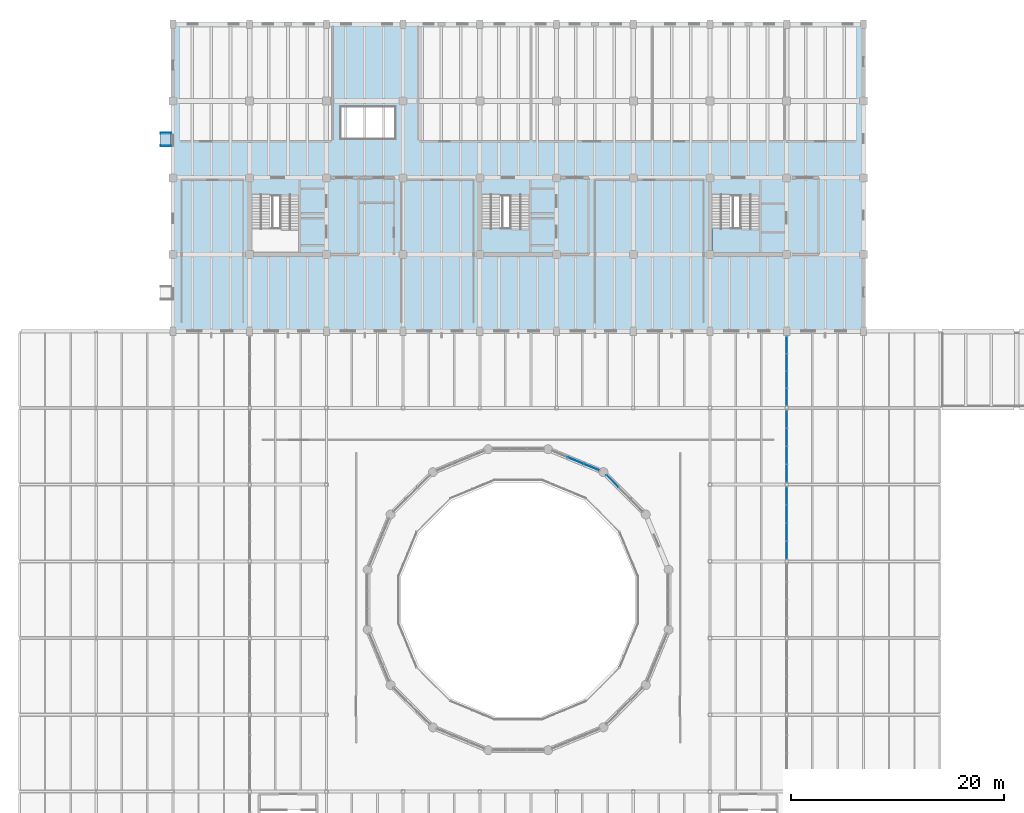
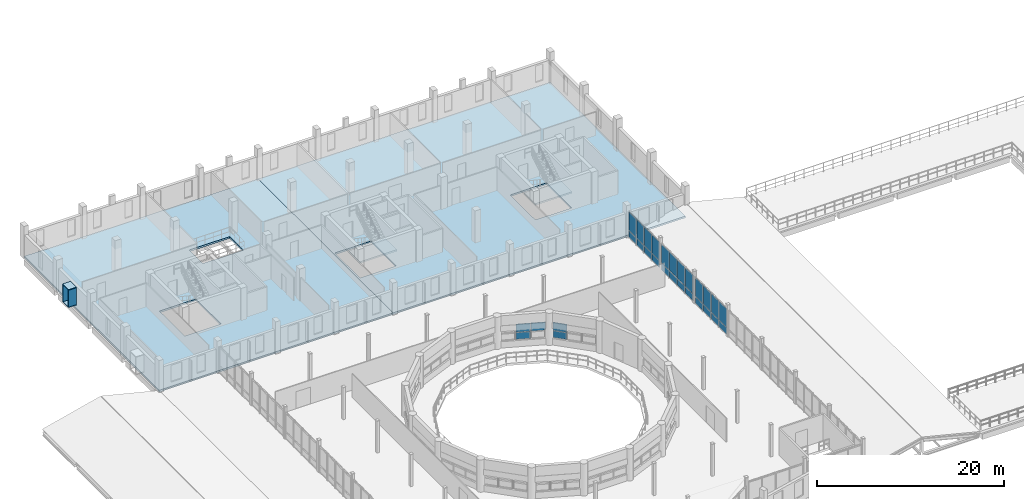
# One storey, part 43 of 63: 33 plates, 4 slabs, 7 elements without a shape of their own.
"""IFC4 building model written with IfcOpenShell, lengths in metres."""

from ifc_helpers import new_model, si_unit, direction, frame, frame_2d, origin, origin_2d, place, context, subcontext, project, spatial, polyline, rectangle, outline, extrude, material, layer, layer_set, type_object, element, aggregate, save


model = new_model("IFC4")

# Units and contexts
model_context = context("Model", 3, precision=1e-05, world=origin(), true_north=direction((0.0, 1.0)))
body_context = subcontext(model_context, "Body", "Model", "MODEL_VIEW")
ifc_project = project(units=[si_unit("LENGTHUNIT", "METRE"), si_unit("AREAUNIT", "SQUARE_METRE"), si_unit("VOLUMEUNIT", "CUBIC_METRE"), si_unit("PLANEANGLEUNIT", "RADIAN"), si_unit("MASSUNIT", "GRAM", prefix="KILO")], contexts=[model_context])

# Site, building, storey
site_placement = place(None, origin())
site = spatial("IfcSite", under=ifc_project, at=site_placement, CompositionType="ELEMENT")
building_placement = place(site_placement, origin())
building = spatial("IfcBuilding", under=site, at=building_placement, Name="Qiaolan Assembly House", CompositionType="ELEMENT")
storey_placement = place(building_placement, frame((0.0, 0.0, 14.39990234375)))
storey = spatial("IfcBuildingStorey", under=building, at=storey_placement, Name="L03", CompositionType="ELEMENT", Elevation=14.39990234375)

# Curtain wall, plates
ifc_material_1 = material(Name="Anodised bronze aluminium", Category="aluminium")
curtain_wall_type_1 = type_object("IfcCurtainWallType", Name="CW-DRUM-CLERESTORY", PredefinedType="NOTDEFINED", material=ifc_material_1)
curtain_wall_1_placement = place(storey_placement, origin())
curtain_wall_1 = element("IfcCurtainWall", 1, at=curtain_wall_1_placement, inside=storey, type_object=curtain_wall_type_1, Name="CW-06 Council Chamber Drum Clerestory Curtain Wall 2", PredefinedType="NOTDEFINED")
ifc_material_2 = material(Name="Low-E double insulating glass", Category="glass")
ifc_layer_1 = layer(ifc_material_2, 0.02392578125)
ifc_layer_set_1 = layer_set([ifc_layer_1], Name="Low-E double insulating glass")
plate_type_1 = type_object("IfcPlateType", Name="CW-DRUM-CLERESTORY-PNL", PredefinedType="CURTAIN_PANEL", material=ifc_layer_set_1)
plate_1_placement = place(storey_placement, frame((76.6865234375, 72.88671875, 0.85107421875), z_axis=(0.0, 0.0, 1.0), x_axis=(0.707184557876, -0.707028995941, 0.0)))
plate_1 = element("IfcPlate", 2, at=plate_1_placement, type_object=plate_type_1, Name="GL-07 glazing panel CW-DRUM-CLER-01-1", PredefinedType="CURTAIN_PANEL", context=body_context, shape_type="SweptSolid", body=[
    extrude(rectangle(XDim=1.5693359375, YDim=0.02392578125, at=frame_2d((0.78466796875, 0.0))), origin(), (0.0, 0.0, 1.0), 0.8779296875),
])
plate_2_placement = place(storey_placement, frame((76.6865234375, 72.88671875, 1.77099609375), z_axis=(0.0, 0.0, 1.0), x_axis=(0.707184557876, -0.707028995941, 0.0)))
plate_2 = element("IfcPlate", 3, at=plate_2_placement, type_object=plate_type_1, Name="GL-07 glazing panel CW-DRUM-CLER-01-2", PredefinedType="CURTAIN_PANEL", context=body_context, shape_type="SweptSolid", body=[
    extrude(rectangle(XDim=1.5693359375, YDim=0.02392578125, at=frame_2d((0.78466796875, 0.0))), origin(), (0.0, 0.0, 1.0), 1.078125),
])
aggregate(curtain_wall_1, [plate_1, plate_2])

curtain_wall_2_placement = place(storey_placement, origin())
curtain_wall_2 = element("IfcCurtainWall", 4, at=curtain_wall_2_placement, inside=storey, type_object=curtain_wall_type_1, Name="CW-06 Council Chamber Drum Clerestory Curtain Wall 3", PredefinedType="NOTDEFINED")
plate_3_placement = place(storey_placement, frame((73.07958984375, 74.548583984375, 0.85107421875), z_axis=(0.0, 0.0, 1.0), x_axis=(0.923903097912, -0.382626535499, 0.0)))
plate_3 = element("IfcPlate", 5, at=plate_3_placement, type_object=plate_type_1, Name="GL-07 glazing panel CW-DRUM-CLER-02-3", PredefinedType="CURTAIN_PANEL", context=body_context, shape_type="SweptSolid", body=[
    extrude(rectangle(XDim=1.569580078125, YDim=0.02392578125, at=frame_2d((0.78466796875, 0.0))), origin(), (0.0, 0.0, 1.0), 0.8779296875),
])
plate_4_placement = place(storey_placement, frame((73.07958984375, 74.548583984375, 1.77099609375), z_axis=(0.0, 0.0, 1.0), x_axis=(0.923903097912, -0.382626535499, 0.0)))
plate_4 = element("IfcPlate", 6, at=plate_4_placement, type_object=plate_type_1, Name="GL-07 glazing panel CW-DRUM-CLER-02-4", PredefinedType="CURTAIN_PANEL", context=body_context, shape_type="SweptSolid", body=[
    extrude(rectangle(XDim=1.569580078125, YDim=0.02392578125, at=frame_2d((0.78466796875, 0.0))), origin(), (0.0, 0.0, 1.0), 1.078125),
])
plate_5_placement = place(storey_placement, frame((74.575927734375, 73.9287109375, 1.77099609375), z_axis=(0.0, 0.0, 1.0), x_axis=(0.923903097912, -0.382626535499, 0.0)))
plate_5 = element("IfcPlate", 7, at=plate_5_placement, type_object=plate_type_1, Name="GL-07 glazing panel CW-DRUM-CLER-02-6", PredefinedType="CURTAIN_PANEL", context=body_context, shape_type="SweptSolid", body=[
    extrude(rectangle(XDim=1.569580078125, YDim=0.02392578125, at=frame_2d((0.78466796875, 0.0))), origin(), (0.0, 0.0, 1.0), 1.078125),
])
aggregate(curtain_wall_2, [plate_3, plate_4, plate_5])

curtain_wall_type_2 = type_object("IfcCurtainWallType", Name="CW-HALL-CONC-420", PredefinedType="NOTDEFINED", material=ifc_material_1)
curtain_wall_3_placement = place(storey_placement, origin())
curtain_wall_3 = element("IfcCurtainWall", 8, at=curtain_wall_3_placement, inside=storey, type_object=curtain_wall_type_2, Name="CW-07 L03 Concourse East CW 5", PredefinedType="NOTDEFINED")
ifc_layer_2 = layer(ifc_material_2, 0.031005859375)
ifc_layer_set_2 = layer_set([ifc_layer_2], Name="Low-E double insulating glass")
plate_type_2 = type_object("IfcPlateType", Name="CW-HALL-CONC-420-PNL", PredefinedType="CURTAIN_PANEL", material=ifc_layer_set_2)
plate_6_placement = place(storey_placement, frame((93.60009765625, 71.757080078125, 0.05810546875), z_axis=(0.0, 0.0, 1.0), x_axis=(0.0, -1.0, 0.0)))
plate_6 = element("IfcPlate", 9, at=plate_6_placement, type_object=plate_type_2, Name="GL-03 glazing panel CW-HLC-E-04-1", PredefinedType="CURTAIN_PANEL", context=body_context, shape_type="SweptSolid", body=[
    extrude(rectangle(XDim=1.629150390625, YDim=0.031005859375, at=frame_2d((0.814453125, 0.0))), origin(), (0.0, 0.0, 1.0), 0.864013671875),
])
plate_7_placement = place(storey_placement, frame((93.60009765625, 71.757080078125, 0.97802734375), z_axis=(0.0, 0.0, 1.0), x_axis=(0.0, -1.0, 0.0)))
plate_7 = element("IfcPlate", 10, at=plate_7_placement, type_object=plate_type_2, Name="GL-03 glazing panel CW-HLC-E-04-2", PredefinedType="CURTAIN_PANEL", context=body_context, shape_type="SweptSolid", body=[
    extrude(rectangle(XDim=1.629150390625, YDim=0.031005859375, at=frame_2d((0.814453125, 0.0))), origin(), (0.0, 0.0, 1.0), 2.4140625),
])
plate_8_placement = place(storey_placement, frame((93.60009765625, 70.06201171875, 0.05810546875), z_axis=(0.0, 0.0, 1.0), x_axis=(0.0, -1.0, 0.0)))
plate_8 = element("IfcPlate", 11, at=plate_8_placement, type_object=plate_type_2, Name="GL-03 glazing panel CW-HLC-E-04-3", PredefinedType="CURTAIN_PANEL", context=body_context, shape_type="SweptSolid", body=[
    extrude(rectangle(XDim=1.62890625, YDim=0.031005859375, at=frame_2d((0.814453125, 0.0))), origin(), (0.0, 0.0, 1.0), 0.864013671875),
])
plate_9_placement = place(storey_placement, frame((93.60009765625, 70.06201171875, 0.97802734375), z_axis=(0.0, 0.0, 1.0), x_axis=(0.0, -1.0, 0.0)))
plate_9 = element("IfcPlate", 12, at=plate_9_placement, type_object=plate_type_2, Name="GL-03 glazing panel CW-HLC-E-04-4", PredefinedType="CURTAIN_PANEL", context=body_context, shape_type="SweptSolid", body=[
    extrude(rectangle(XDim=1.62890625, YDim=0.031005859375, at=frame_2d((0.814453125, 0.0))), origin(), (0.0, 0.0, 1.0), 2.4140625),
])
plate_10_placement = place(storey_placement, frame((93.60009765625, 68.366943359375, 0.05810546875), z_axis=(0.0, 0.0, 1.0), x_axis=(0.0, -1.0, 0.0)))
plate_10 = element("IfcPlate", 13, at=plate_10_placement, type_object=plate_type_2, Name="GL-03 glazing panel CW-HLC-E-04-5", PredefinedType="CURTAIN_PANEL", context=body_context, shape_type="SweptSolid", body=[
    extrude(rectangle(XDim=1.62890625, YDim=0.031005859375, at=frame_2d((0.814453125, 0.0))), origin(), (0.0, 0.0, 1.0), 0.864013671875),
])
plate_11_placement = place(storey_placement, frame((93.60009765625, 68.366943359375, 0.97802734375), z_axis=(0.0, 0.0, 1.0), x_axis=(0.0, -1.0, 0.0)))
plate_11 = element("IfcPlate", 14, at=plate_11_placement, type_object=plate_type_2, Name="GL-03 glazing panel CW-HLC-E-04-6", PredefinedType="CURTAIN_PANEL", context=body_context, shape_type="SweptSolid", body=[
    extrude(rectangle(XDim=1.62890625, YDim=0.031005859375, at=frame_2d((0.814453125, 0.0))), origin(), (0.0, 0.0, 1.0), 2.4140625),
])
plate_12_placement = place(storey_placement, frame((93.60009765625, 66.672119140625, 0.05810546875), z_axis=(0.0, 0.0, 1.0), x_axis=(0.0, -1.0, 0.0)))
plate_12 = element("IfcPlate", 15, at=plate_12_placement, type_object=plate_type_2, Name="GL-03 glazing panel CW-HLC-E-04-7", PredefinedType="CURTAIN_PANEL", context=body_context, shape_type="SweptSolid", body=[
    extrude(rectangle(XDim=1.629150390625, YDim=0.031005859375, at=frame_2d((0.814453125, 0.0))), origin(), (0.0, 0.0, 1.0), 0.864013671875),
])
plate_13_placement = place(storey_placement, frame((93.60009765625, 66.672119140625, 0.97802734375), z_axis=(0.0, 0.0, 1.0), x_axis=(0.0, -1.0, 0.0)))
plate_13 = element("IfcPlate", 16, at=plate_13_placement, type_object=plate_type_2, Name="GL-03 glazing panel CW-HLC-E-04-8", PredefinedType="CURTAIN_PANEL", context=body_context, shape_type="SweptSolid", body=[
    extrude(rectangle(XDim=1.629150390625, YDim=0.031005859375, at=frame_2d((0.814453125, 0.0))), origin(), (0.0, 0.0, 1.0), 2.4140625),
])
aggregate(curtain_wall_3, [plate_6, plate_7, plate_8, plate_9, plate_10, plate_11, plate_12, plate_13])

curtain_wall_4_placement = place(storey_placement, origin())
curtain_wall_4 = element("IfcCurtainWall", 17, at=curtain_wall_4_placement, inside=storey, type_object=curtain_wall_type_2, Name="CW-07 L03 Concourse East CW 6", PredefinedType="NOTDEFINED")
plate_14_placement = place(storey_placement, frame((93.60009765625, 78.95703125, 0.05810546875), z_axis=(0.0, 0.0, 1.0), x_axis=(0.0, -1.0, 0.0)))
plate_14 = element("IfcPlate", 18, at=plate_14_placement, type_object=plate_type_2, Name="GL-03 glazing panel CW-HLC-E-05-1", PredefinedType="CURTAIN_PANEL", context=body_context, shape_type="SweptSolid", body=[
    extrude(rectangle(XDim=1.629150390625, YDim=0.031005859375, at=frame_2d((0.814453125, 0.0))), origin(), (0.0, 0.0, 1.0), 0.864013671875),
])
plate_15_placement = place(storey_placement, frame((93.60009765625, 78.95703125, 0.97802734375), z_axis=(0.0, 0.0, 1.0), x_axis=(0.0, -1.0, 0.0)))
plate_15 = element("IfcPlate", 19, at=plate_15_placement, type_object=plate_type_2, Name="GL-03 glazing panel CW-HLC-E-05-2", PredefinedType="CURTAIN_PANEL", context=body_context, shape_type="SweptSolid", body=[
    extrude(rectangle(XDim=1.629150390625, YDim=0.031005859375, at=frame_2d((0.814453125, 0.0))), origin(), (0.0, 0.0, 1.0), 2.4140625),
])
plate_16_placement = place(storey_placement, frame((93.60009765625, 77.261962890625, 0.05810546875), z_axis=(0.0, 0.0, 1.0), x_axis=(0.0, -1.0, 0.0)))
plate_16 = element("IfcPlate", 20, at=plate_16_placement, type_object=plate_type_2, Name="GL-03 glazing panel CW-HLC-E-05-3", PredefinedType="CURTAIN_PANEL", context=body_context, shape_type="SweptSolid", body=[
    extrude(rectangle(XDim=1.62890625, YDim=0.031005859375, at=frame_2d((0.814453125, 0.0))), origin(), (0.0, 0.0, 1.0), 0.864013671875),
])
plate_17_placement = place(storey_placement, frame((93.60009765625, 77.261962890625, 0.97802734375), z_axis=(0.0, 0.0, 1.0), x_axis=(0.0, -1.0, 0.0)))
plate_17 = element("IfcPlate", 21, at=plate_17_placement, type_object=plate_type_2, Name="GL-03 glazing panel CW-HLC-E-05-4", PredefinedType="CURTAIN_PANEL", context=body_context, shape_type="SweptSolid", body=[
    extrude(rectangle(XDim=1.62890625, YDim=0.031005859375, at=frame_2d((0.814453125, 0.0))), origin(), (0.0, 0.0, 1.0), 2.4140625),
])
plate_18_placement = place(storey_placement, frame((93.60009765625, 75.56689453125, 0.05810546875), z_axis=(0.0, 0.0, 1.0), x_axis=(0.0, -1.0, 0.0)))
plate_18 = element("IfcPlate", 22, at=plate_18_placement, type_object=plate_type_2, Name="GL-03 glazing panel CW-HLC-E-05-5", PredefinedType="CURTAIN_PANEL", context=body_context, shape_type="SweptSolid", body=[
    extrude(rectangle(XDim=1.62890625, YDim=0.031005859375, at=frame_2d((0.814453125, 0.0))), origin(), (0.0, 0.0, 1.0), 0.864013671875),
])
plate_19_placement = place(storey_placement, frame((93.60009765625, 75.56689453125, 0.97802734375), z_axis=(0.0, 0.0, 1.0), x_axis=(0.0, -1.0, 0.0)))
plate_19 = element("IfcPlate", 23, at=plate_19_placement, type_object=plate_type_2, Name="GL-03 glazing panel CW-HLC-E-05-6", PredefinedType="CURTAIN_PANEL", context=body_context, shape_type="SweptSolid", body=[
    extrude(rectangle(XDim=1.62890625, YDim=0.031005859375, at=frame_2d((0.814453125, 0.0))), origin(), (0.0, 0.0, 1.0), 2.4140625),
])
plate_20_placement = place(storey_placement, frame((93.60009765625, 73.8720703125, 0.05810546875), z_axis=(0.0, 0.0, 1.0), x_axis=(0.0, -1.0, 0.0)))
plate_20 = element("IfcPlate", 24, at=plate_20_placement, type_object=plate_type_2, Name="GL-03 glazing panel CW-HLC-E-05-7", PredefinedType="CURTAIN_PANEL", context=body_context, shape_type="SweptSolid", body=[
    extrude(rectangle(XDim=1.629150390625, YDim=0.031005859375, at=frame_2d((0.814453125, 0.0))), origin(), (0.0, 0.0, 1.0), 0.864013671875),
])
plate_21_placement = place(storey_placement, frame((93.60009765625, 73.8720703125, 0.97802734375), z_axis=(0.0, 0.0, 1.0), x_axis=(0.0, -1.0, 0.0)))
plate_21 = element("IfcPlate", 25, at=plate_21_placement, type_object=plate_type_2, Name="GL-03 glazing panel CW-HLC-E-05-8", PredefinedType="CURTAIN_PANEL", context=body_context, shape_type="SweptSolid", body=[
    extrude(rectangle(XDim=1.629150390625, YDim=0.031005859375, at=frame_2d((0.814453125, 0.0))), origin(), (0.0, 0.0, 1.0), 2.4140625),
])
aggregate(curtain_wall_4, [plate_14, plate_15, plate_16, plate_17, plate_18, plate_19, plate_20, plate_21])

curtain_wall_5_placement = place(storey_placement, origin())
curtain_wall_5 = element("IfcCurtainWall", 26, at=curtain_wall_5_placement, inside=storey, type_object=curtain_wall_type_2, Name="CW-07 L03 Concourse East CW 7", PredefinedType="NOTDEFINED")
plate_22_placement = place(storey_placement, frame((93.60009765625, 85.886962890625, 0.05810546875), z_axis=(0.0, 0.0, 1.0), x_axis=(0.0, -1.0, 0.0)))
plate_22 = element("IfcPlate", 27, at=plate_22_placement, type_object=plate_type_2, Name="GL-03 glazing panel CW-HLC-E-06-1", PredefinedType="CURTAIN_PANEL", context=body_context, shape_type="SweptSolid", body=[
    extrude(rectangle(XDim=1.5615234375, YDim=0.031005859375, at=frame_2d((0.78076171875, 0.0))), origin(), (0.0, 0.0, 1.0), 0.864013671875),
])
plate_23_placement = place(storey_placement, frame((93.60009765625, 85.886962890625, 0.97802734375), z_axis=(0.0, 0.0, 1.0), x_axis=(0.0, -1.0, 0.0)))
plate_23 = element("IfcPlate", 28, at=plate_23_placement, type_object=plate_type_2, Name="GL-03 glazing panel CW-HLC-E-06-2", PredefinedType="CURTAIN_PANEL", context=body_context, shape_type="SweptSolid", body=[
    extrude(rectangle(XDim=1.5615234375, YDim=0.031005859375, at=frame_2d((0.78076171875, 0.0))), origin(), (0.0, 0.0, 1.0), 2.4140625),
])
plate_24_placement = place(storey_placement, frame((93.60009765625, 84.259521484375, 0.05810546875), z_axis=(0.0, 0.0, 1.0), x_axis=(0.0, -1.0, 0.0)))
plate_24 = element("IfcPlate", 29, at=plate_24_placement, type_object=plate_type_2, Name="GL-03 glazing panel CW-HLC-E-06-3", PredefinedType="CURTAIN_PANEL", context=body_context, shape_type="SweptSolid", body=[
    extrude(rectangle(XDim=1.5615234375, YDim=0.031005859375, at=frame_2d((0.78076171875, 0.0))), origin(), (0.0, 0.0, 1.0), 0.864013671875),
])
plate_25_placement = place(storey_placement, frame((93.60009765625, 84.259521484375, 0.97802734375), z_axis=(0.0, 0.0, 1.0), x_axis=(0.0, -1.0, 0.0)))
plate_25 = element("IfcPlate", 30, at=plate_25_placement, type_object=plate_type_2, Name="GL-03 glazing panel CW-HLC-E-06-4", PredefinedType="CURTAIN_PANEL", context=body_context, shape_type="SweptSolid", body=[
    extrude(rectangle(XDim=1.5615234375, YDim=0.031005859375, at=frame_2d((0.78076171875, 0.0))), origin(), (0.0, 0.0, 1.0), 2.4140625),
])
plate_26_placement = place(storey_placement, frame((93.60009765625, 82.632080078125, 0.05810546875), z_axis=(0.0, 0.0, 1.0), x_axis=(0.0, -1.0, 0.0)))
plate_26 = element("IfcPlate", 31, at=plate_26_placement, type_object=plate_type_2, Name="GL-03 glazing panel CW-HLC-E-06-5", PredefinedType="CURTAIN_PANEL", context=body_context, shape_type="SweptSolid", body=[
    extrude(rectangle(XDim=1.5615234375, YDim=0.031005859375, at=frame_2d((0.78076171875, 0.0))), origin(), (0.0, 0.0, 1.0), 0.864013671875),
])
plate_27_placement = place(storey_placement, frame((93.60009765625, 82.632080078125, 0.97802734375), z_axis=(0.0, 0.0, 1.0), x_axis=(0.0, -1.0, 0.0)))
plate_27 = element("IfcPlate", 32, at=plate_27_placement, type_object=plate_type_2, Name="GL-03 glazing panel CW-HLC-E-06-6", PredefinedType="CURTAIN_PANEL", context=body_context, shape_type="SweptSolid", body=[
    extrude(rectangle(XDim=1.5615234375, YDim=0.031005859375, at=frame_2d((0.78076171875, 0.0))), origin(), (0.0, 0.0, 1.0), 2.4140625),
])
plate_28_placement = place(storey_placement, frame((93.60009765625, 81.00439453125, 0.05810546875), z_axis=(0.0, 0.0, 1.0), x_axis=(0.0, -1.0, 0.0)))
plate_28 = element("IfcPlate", 33, at=plate_28_placement, type_object=plate_type_2, Name="GL-03 glazing panel CW-HLC-E-06-7", PredefinedType="CURTAIN_PANEL", context=body_context, shape_type="SweptSolid", body=[
    extrude(rectangle(XDim=1.561279296875, YDim=0.031005859375, at=frame_2d((0.78076171875, 0.0))), origin(), (0.0, 0.0, 1.0), 0.864013671875),
])
plate_29_placement = place(storey_placement, frame((93.60009765625, 81.00439453125, 0.97802734375), z_axis=(0.0, 0.0, 1.0), x_axis=(0.0, -1.0, 0.0)))
plate_29 = element("IfcPlate", 34, at=plate_29_placement, type_object=plate_type_2, Name="GL-03 glazing panel CW-HLC-E-06-8", PredefinedType="CURTAIN_PANEL", context=body_context, shape_type="SweptSolid", body=[
    extrude(rectangle(XDim=1.561279296875, YDim=0.031005859375, at=frame_2d((0.78076171875, 0.0))), origin(), (0.0, 0.0, 1.0), 2.4140625),
])
aggregate(curtain_wall_5, [plate_22, plate_23, plate_24, plate_25, plate_26, plate_27, plate_28, plate_29])

# Plates
ifc_material_3 = material(Name="Honed pale limestone", Category="masonry")
ifc_layer_3 = layer(ifc_material_3, 0.0849609375)
ifc_layer_set_3 = layer_set([ifc_layer_3], Name="Honed pale limestone")
plate_type_3 = type_object("IfcPlateType", Name="PLT-WINBOX-CHEEK", PredefinedType="SHEET", material=ifc_layer_set_3)
for number, where, z_axis, x_axis, name in (
    (35, (35.340087890625, 103.8076171875, 0.7001953125), (0.0, 0.0, 1.0), (1.0, 0.0, 0.0), "WB-02 projecting window-box left cheek NWW-L03-02"),
    (36, (35.340087890625, 104.992431640625, 0.7001953125), (0.0, 0.0, 1.0), (1.0, 0.0, 0.0), "WB-02 projecting window-box right cheek NWW-L03-02"),
):
    element("IfcPlate", number, at=place(storey_placement, frame(where, z_axis=z_axis, x_axis=x_axis)), inside=storey, type_object=plate_type_3, Name=name, PredefinedType="SHEET", context=body_context, shape_type="SweptSolid", body=[
        extrude(rectangle(XDim=1.0, YDim=0.0849609375, at=origin_2d()), origin(), (0.0, 0.0, 1.0), 2.18994140625),
    ])
ifc_layer_4 = layer(ifc_material_3, 0.080078125)
ifc_layer_set_4 = layer_set([ifc_layer_4], Name="Honed pale limestone")
plate_type_4 = type_object("IfcPlateType", Name="PLT-WINBOX-SURROUND", PredefinedType="SHEET", material=ifc_layer_set_4)
for number, where, name in (
    (37, (0.0, 0.0, 0.6201171875), "WB-01 projecting limestone window-box sill NWW-L03-02"),
    (38, (0.0, 0.0, 2.89013671875), "WB-01 projecting limestone window-box hood NWW-L03-02"),
):
    element("IfcPlate", number, at=place(storey_placement, frame(where)), inside=storey, type_object=plate_type_4, Name=name, PredefinedType="SHEET", context=body_context, shape_type="SweptSolid", body=[
        extrude(outline(polyline([(34.840087890625, 103.764892578125), (34.840087890625, 105.034912109375), (35.840087890625, 105.034912109375), (35.840087890625, 103.764892578125), (34.840087890625, 103.764892578125)])), origin(), (0.0, 0.0, 1.0), 0.080078125),
    ])

# Stair, slab
ifc_material_4 = material(Name="Concrete C40/50", Category="concrete")
stair_type = type_object("IfcStairType", Name="STR-STD-420", PredefinedType="HALF_TURN_STAIR", material=ifc_material_4)
stair_1_placement = place(storey_placement, origin())
stair_1 = element("IfcStair", 39, at=stair_1_placement, inside=storey, type_object=stair_type, Name="ST-05 enclosed egress stair CORE-B L03", PredefinedType="HALF_TURN_STAIR")
ifc_layer_5 = layer(ifc_material_4, 0.199951171875)
ifc_layer_set_5 = layer_set([ifc_layer_5], Name="Concrete C40/50")
slab_type_1 = type_object("IfcSlabType", Name="SLB-LANDING-200", PredefinedType="LANDING", material=ifc_layer_set_5)
slab_1_placement = place(storey_placement, frame((0.0, 0.0, 1.900146484375)))
slab_1 = element("IfcSlab", 40, at=slab_1_placement, type_object=slab_type_1, Name="Stair landing LND-CORE-B-L03-HL", PredefinedType="LANDING", context=body_context, shape_type="SweptSolid", body=[
    extrude(outline(polyline([(64.97998046875, 93.780029296875), (64.97998046875, 96.169921875), (69.52001953125, 96.169921875), (69.52001953125, 93.780029296875), (64.97998046875, 93.780029296875)])), origin(), (0.0, 0.0, 1.0), 0.199951171875),
])
aggregate(stair_1, [slab_1])

stair_2_placement = place(storey_placement, origin())
stair_2 = element("IfcStair", 41, at=stair_2_placement, inside=storey, type_object=stair_type, Name="ST-05 enclosed egress stair CORE-G L03", PredefinedType="HALF_TURN_STAIR")
slab_2_placement = place(storey_placement, frame((0.0, 0.0, 1.900146484375)))
slab_2 = element("IfcSlab", 42, at=slab_2_placement, type_object=slab_type_1, Name="Stair landing LND-CORE-G-L03-HL", PredefinedType="LANDING", context=body_context, shape_type="SweptSolid", body=[
    extrude(outline(polyline([(86.580078125, 93.780029296875), (86.580078125, 96.169921875), (91.1201171875, 96.169921875), (91.1201171875, 93.780029296875), (86.580078125, 93.780029296875)])), origin(), (0.0, 0.0, 1.0), 0.199951171875),
])
aggregate(stair_2, [slab_2])

# Slabs
ifc_layer_6 = layer(ifc_material_4, 0.22998046875)
ifc_layer_set_6 = layer_set([ifc_layer_6], Name="Concrete C40/50")
slab_type_2 = type_object("IfcSlabType", Name="SLB-NW-FLOOR-230", PredefinedType="FLOOR", material=ifc_layer_set_6)
slab_3_placement = place(storey_placement, frame((0.0, 0.0, -0.22998046875)))
element("IfcSlab", 43, at=slab_3_placement, inside=storey, type_object=slab_type_2, Name="FS-06 North-West Wing West Plate L03", PredefinedType="FLOOR", context=body_context, shape_type="SweptSolid", body=[
    extrude(outline(polyline([(36.0, 86.39990234375), (64.800048828125, 86.39990234375), (64.800048828125, 115.199951171875), (36.0, 115.199951171875), (36.0, 86.39990234375)]), holes=[polyline([(43.39990234375, 93.800048828125), (43.39990234375, 99.14990234375), (47.8798828125, 99.14990234375), (47.8798828125, 93.800048828125), (43.39990234375, 93.800048828125)]), polyline([(51.800048828125, 104.5), (51.800048828125, 107.39990234375), (56.800048828125, 107.39990234375), (56.800048828125, 104.5), (51.800048828125, 104.5)])]), origin(), (0.0, 0.0, 1.0), 0.22998046875),
])
slab_4_placement = place(storey_placement, frame((0.0, 0.0, -0.22998046875)))
element("IfcSlab", 44, at=slab_4_placement, inside=storey, type_object=slab_type_2, Name="FS-06 North-West Wing East Plate L03", PredefinedType="FLOOR", context=body_context, shape_type="SweptSolid", body=[
    extrude(outline(polyline([(64.800048828125, 86.39990234375), (100.800048828125, 86.39990234375), (100.800048828125, 115.199951171875), (64.800048828125, 115.199951171875), (64.800048828125, 86.39990234375)]), holes=[polyline([(65.0, 93.800048828125), (65.0, 99.14990234375), (69.47998046875, 99.14990234375), (69.47998046875, 93.800048828125), (65.0, 93.800048828125)]), polyline([(86.60009765625, 93.800048828125), (86.60009765625, 99.14990234375), (91.080078125, 99.14990234375), (91.080078125, 93.800048828125), (86.60009765625, 93.800048828125)])]), origin(), (0.0, 0.0, 1.0), 0.22998046875),
])

save(model, "model.ifc")
